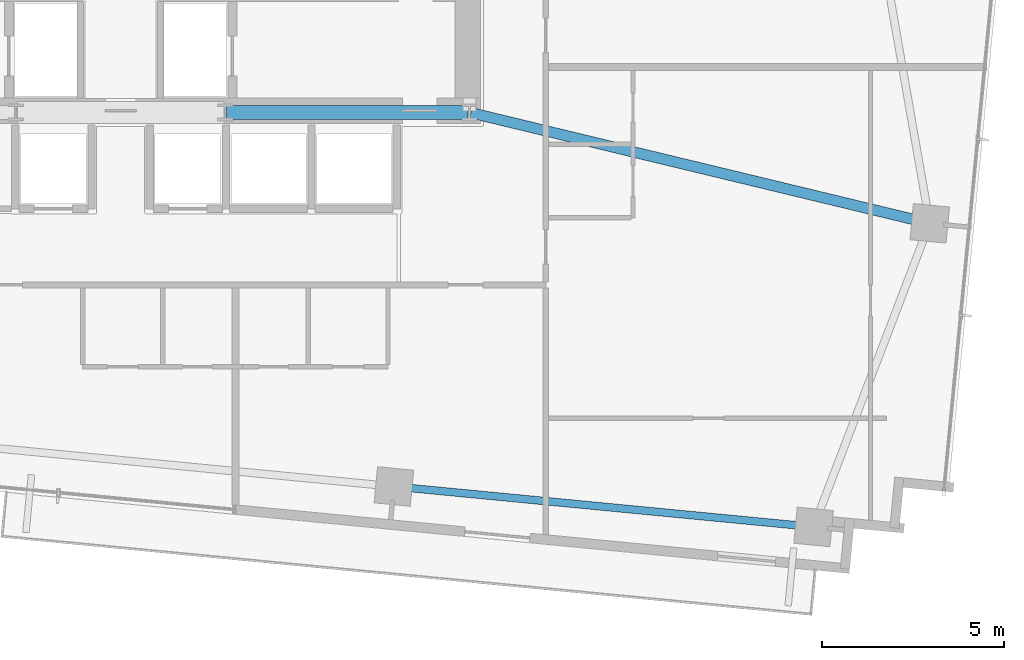
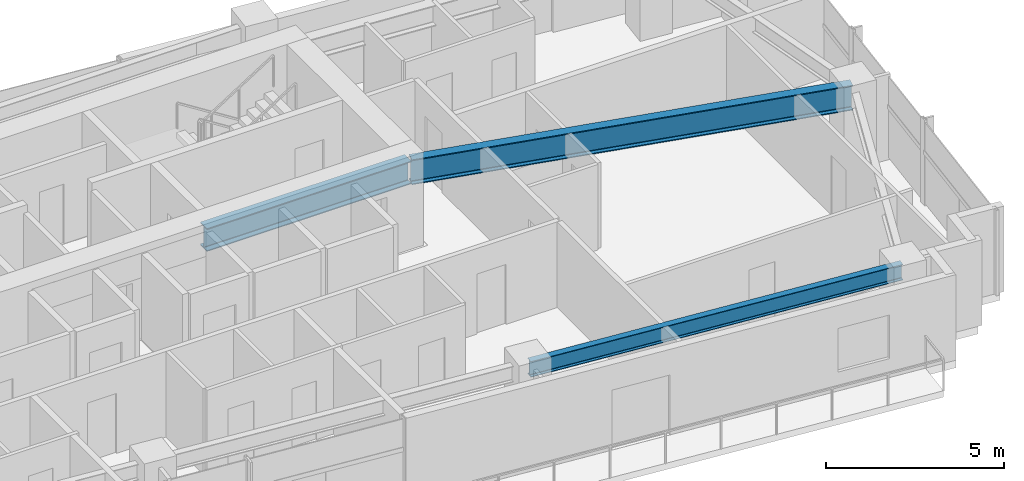
# One storey, part 10 of 20: 3 beams.
"""IFC4 building model written with IfcOpenShell, lengths in metres."""

from ifc_helpers import new_model, si_unit, direction, frame, origin, origin_2d, place, context, subcontext, project, spatial, i_section, extrude, source, transform, mapped, material, material_profile, profile_set, type_object, type_shapes, element, save


model = new_model("IFC4")

# Units and contexts
model_context = context("Model", 3, precision=1e-05, world=origin(), true_north=direction((0.0, 1.0)))
body_context = subcontext(model_context, "Body", "Model", "MODEL_VIEW")
ifc_project = project(units=[si_unit("LENGTHUNIT", "METRE"), si_unit("AREAUNIT", "SQUARE_METRE"), si_unit("VOLUMEUNIT", "CUBIC_METRE"), si_unit("PLANEANGLEUNIT", "RADIAN"), si_unit("MASSUNIT", "GRAM", prefix="KILO")], contexts=[model_context])

# Site, building, storey
site_placement = place(None, origin())
site = spatial("IfcSite", under=ifc_project, at=site_placement, CompositionType="ELEMENT")
building_placement = place(site_placement, origin())
building = spatial("IfcBuilding", under=site, at=building_placement, Name="Astriad Promenade Condominiums", CompositionType="ELEMENT")
storey_placement = place(building_placement, frame((0.0, 0.0, 156.60009765625)))
storey = spatial("IfcBuildingStorey", under=building, at=storey_placement, Name="L45", CompositionType="ELEMENT", Elevation=156.60009765625)

# Beams
ifc_material = material(Name="Steel ASTM A992 Grade 50", Category="steel")
ifc_material_profile_1 = material_profile(ifc_material, i_section(OverallWidth=0.3837890625, OverallDepth=0.785888671875, WebThickness=0.019775390625, FlangeThickness=0.033447265625, FilletRadius=0.021484375, at=origin_2d()), Name="W30X211")
ifc_profile_set_1 = profile_set([ifc_material_profile_1], Name="Steel ASTM A992 Grade 50")
beam_type_1 = type_object("IfcBeamType", Name="STEEL FLOOR GIRDER W30X211", PredefinedType="BEAM", material=ifc_profile_set_1)
shared_shape_1 = source(origin(), body_context, "Body", "SweptSolid", [
    extrude(i_section(OverallWidth=0.3837890625, OverallDepth=0.785888671875, WebThickness=0.019775390625, FlangeThickness=0.033447265625, FilletRadius=0.021484375, at=origin_2d()), origin(), (0.0, 0.0, 1.0), 6.64013671875),
])
type_shapes(beam_type_1, [shared_shape_1])
beam_1_placement = place(storey_placement, frame((38.919921875, 17.39990234375, 2.546875), z_axis=(1.0, 0.0, 0.0), x_axis=(0.0, 1.0, 0.0)))
element("IfcBeam", 1, at=beam_1_placement, inside=storey, type_object=beam_type_1, Name="Core Ring Beam CG-S3-L45", PredefinedType="BEAM", context=body_context, shape_type="MappedRepresentation", body=[
    mapped(shared_shape_1, transform((0.0, 0.0, 0.0), scale=1.0)),
])
ifc_material_profile_2 = material_profile(ifc_material, i_section(OverallWidth=0.210693359375, OverallDepth=0.53955078125, WebThickness=0.01171875, FlangeThickness=0.018798828125, FilletRadius=0.0166015625, at=origin_2d()), Name="W21X73")
ifc_profile_set_2 = profile_set([ifc_material_profile_2], Name="Steel ASTM A992 Grade 50")
beam_type_2 = type_object("IfcBeamType", Name="STEEL SPANDREL BEAM W21X73", PredefinedType="SPANDREL", material=ifc_profile_set_2)
shared_shape_2 = source(origin(), body_context, "Body", "SweptSolid", [
    extrude(i_section(OverallWidth=0.210693359375, OverallDepth=0.53955078125, WebThickness=0.01171875, FlangeThickness=0.018798828125, FilletRadius=0.0166015625, at=origin_2d()), origin(), (0.0, 0.0, 1.0), 11.519775390625),
])
type_shapes(beam_type_2, [shared_shape_2])
beam_2_placement = place(storey_placement, frame((43.560302734375, 7.10400390625, 2.670166015625), z_axis=(0.995397217389, -0.095835168988, 0.0), x_axis=(0.095835168988, 0.995397217389, 0.0)))
element("IfcBeam", 2, at=beam_2_placement, inside=storey, type_object=beam_type_2, Name="Perimeter Spandrel Beam SP-S4-L45", PredefinedType="SPANDREL", context=body_context, shape_type="MappedRepresentation", body=[
    mapped(shared_shape_2, transform((0.0, 0.0, 0.0), scale=1.0)),
])
ifc_material_profile_3 = material_profile(ifc_material, i_section(OverallWidth=0.2919921875, OverallDepth=0.85888671875, WebThickness=0.01708984375, FlangeThickness=0.031005859375, FilletRadius=0.02294921875, at=origin_2d()), Name="W33X169")
ifc_profile_set_3 = profile_set([ifc_material_profile_3], Name="Steel ASTM A992 Grade 50")
beam_type_3 = type_object("IfcBeamType", Name="STEEL PRIMARY GIRDER W33X169", PredefinedType="BEAM", material=ifc_profile_set_3)
shared_shape_3 = source(origin(), body_context, "Body", "SweptSolid", [
    extrude(i_section(OverallWidth=0.2919921875, OverallDepth=0.85888671875, WebThickness=0.01708984375, FlangeThickness=0.031005859375, FilletRadius=0.02294921875, at=origin_2d()), origin(), (0.0, 0.0, 1.0), 12.94482421875),
])
type_shapes(beam_type_3, [shared_shape_3])
beam_3_placement = place(storey_placement, frame((58.223388671875, 14.357666015625, 2.510498046875), z_axis=(-0.972164476402, 0.234299446908, 0.0), x_axis=(-0.234299446908, -0.972164476402, 0.0)))
element("IfcBeam", 3, at=beam_3_placement, inside=storey, type_object=beam_type_3, Name="Primary Floor Girder PG-EM-L45", PredefinedType="BEAM", context=body_context, shape_type="MappedRepresentation", body=[
    mapped(shared_shape_3, transform((0.0, 0.0, 0.0), scale=1.0)),
])

save(model, "model.ifc")
